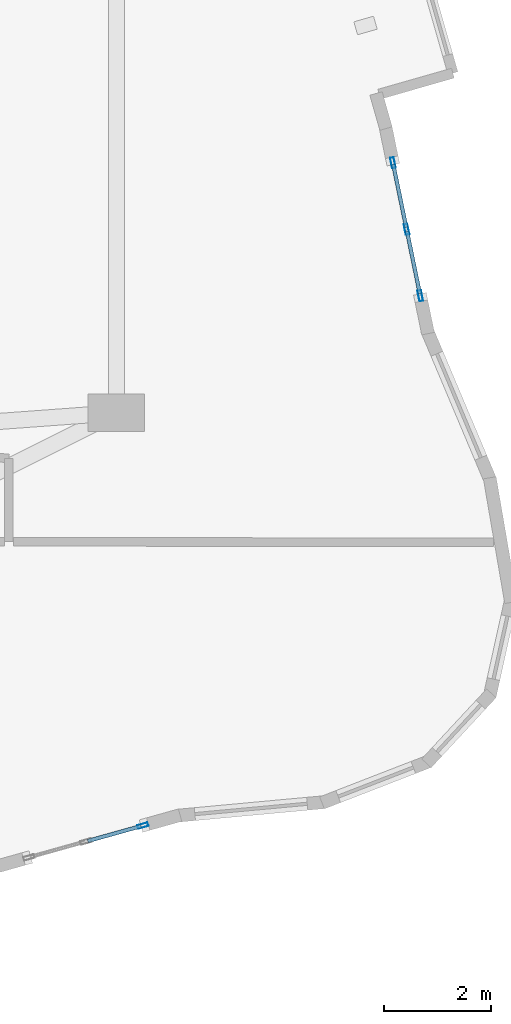
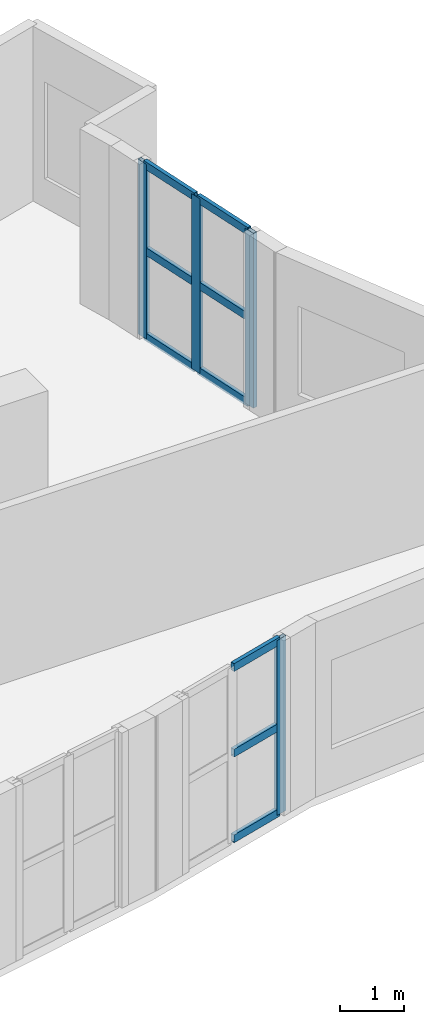
# One storey, part 4 of 15: 13 members, 2 elements without a shape of their own.
"""IFC4 building model written with IfcOpenShell, lengths in metres."""

from ifc_helpers import new_model, si_unit, direction, frame, origin, origin_2d, place, context, subcontext, project, spatial, hollow_rectangle, extrude, material, layer, layer_set, material_profile, profile_set, type_object, element, aggregate, save


model = new_model("IFC4")

# Units and contexts
model_context = context("Model", 3, precision=1e-05, world=origin(), true_north=direction((0.0, 1.0)))
body_context = subcontext(model_context, "Body", "Model", "MODEL_VIEW")
ifc_project = project(units=[si_unit("LENGTHUNIT", "METRE"), si_unit("AREAUNIT", "SQUARE_METRE"), si_unit("VOLUMEUNIT", "CUBIC_METRE"), si_unit("PLANEANGLEUNIT", "RADIAN"), si_unit("MASSUNIT", "GRAM", prefix="KILO")], contexts=[model_context])

# Site, building, storey
site_placement = place(None, origin())
site = spatial("IfcSite", under=ifc_project, at=site_placement, CompositionType="ELEMENT")
building_placement = place(site_placement, origin())
building = spatial("IfcBuilding", under=site, at=building_placement, Name="Miruveldt Soraemaru", CompositionType="ELEMENT")
storey_placement = place(building_placement, frame((0.0, 0.0, 234.0)))
storey = spatial("IfcBuildingStorey", under=building, at=storey_placement, Name="L64", CompositionType="ELEMENT", Elevation=234.0)

# Curtain wall, member
ifc_material = material(Name="Anodised aluminium EN AW-6063 T6", Category="aluminium")
ifc_layer = layer(ifc_material, 0.199951171875, Name="Anodised aluminium EN AW-6063 T6", Category="aluminium")
ifc_layer_set = layer_set([ifc_layer], Name="Anodised aluminium EN AW-6063 T6")
curtain_wall_type = type_object("IfcCurtainWallType", Name="CW-SYS-3", PredefinedType="USERDEFINED", material=ifc_layer_set)
curtain_wall_1_placement = place(storey_placement, origin())
curtain_wall_1 = element("IfcCurtainWall", 1, at=curtain_wall_1_placement, inside=storey, type_object=curtain_wall_type, Name="L64 Curtain Wall Bay 28", ObjectType="UNITISED GLAZING", PredefinedType="USERDEFINED")
ifc_material_profile_1 = material_profile(ifc_material, hollow_rectangle(XDim=0.070068359375, YDim=0.199951171875, WallThickness=0.00390625, at=origin_2d()), Name="Anodised aluminium EN AW-6063 T6", Category="aluminium")
ifc_profile_set_1 = profile_set([ifc_material_profile_1], Name="Anodised aluminium EN AW-6063 T6")
member_type_1 = type_object("IfcMemberType", Name="CWM-3", PredefinedType="MULLION", material=ifc_profile_set_1)
member_1_placement = place(storey_placement, frame((57.0927734375, 28.119140625, 0.0), z_axis=(0.0, 0.0, 1.0), x_axis=(-0.269597245955, 0.962973169394, 0.0)))
member_1 = element("IfcMember", 2, at=member_1_placement, type_object=member_type_1, Name="CW-3 mullion 3", PredefinedType="MULLION", context=body_context, shape_type="SweptSolid", body=[
    extrude(hollow_rectangle(XDim=0.070068359375, YDim=0.199951171875, WallThickness=0.00390625, at=origin_2d()), origin(), (0.0, 0.0, 1.0), 3.344970703125),
])

# Curtain wall, members
curtain_wall_2_placement = place(storey_placement, origin())
curtain_wall_2 = element("IfcCurtainWall", 3, at=curtain_wall_2_placement, inside=storey, type_object=curtain_wall_type, Name="L64 Curtain Wall Bay 35", ObjectType="UNITISED GLAZING", PredefinedType="USERDEFINED")
member_2_placement = place(storey_placement, frame((62.25634765625, 37.9794921875, 0.0), z_axis=(0.0, 0.0, 1.0), x_axis=(-0.979472033348, -0.201580097948, 0.0)))
member_2 = element("IfcMember", 4, at=member_2_placement, type_object=member_type_1, Name="CW-3 mullion 1", PredefinedType="MULLION", context=body_context, shape_type="SweptSolid", body=[
    extrude(hollow_rectangle(XDim=0.070068359375, YDim=0.199951171875, WallThickness=0.00390625, at=origin_2d()), origin(), (0.0, 0.0, 1.0), 3.344970703125),
])
member_3_placement = place(storey_placement, frame((62.001953125, 39.216552734375, 0.0), z_axis=(0.0, 0.0, 1.0), x_axis=(-0.979472033348, -0.201580097948, 0.0)))
member_3 = element("IfcMember", 5, at=member_3_placement, type_object=member_type_1, Name="CW-3 mullion 2", PredefinedType="MULLION", context=body_context, shape_type="SweptSolid", body=[
    extrude(hollow_rectangle(XDim=0.070068359375, YDim=0.199951171875, WallThickness=0.00390625, at=origin_2d()), origin(), (0.0, 0.0, 1.0), 3.344970703125),
])
member_4_placement = place(storey_placement, frame((61.747314453125, 40.45361328125, 0.0), z_axis=(0.0, 0.0, 1.0), x_axis=(-0.979472033348, -0.201580097948, 0.0)))
member_4 = element("IfcMember", 6, at=member_4_placement, type_object=member_type_1, Name="CW-3 mullion 3", PredefinedType="MULLION", context=body_context, shape_type="SweptSolid", body=[
    extrude(hollow_rectangle(XDim=0.070068359375, YDim=0.199951171875, WallThickness=0.00390625, at=origin_2d()), origin(), (0.0, 0.0, 1.0), 3.344970703125),
])

# Member
ifc_material_profile_2 = material_profile(ifc_material, hollow_rectangle(XDim=0.070068359375, YDim=0.14990234375, WallThickness=0.00390625, at=origin_2d()), Name="Anodised aluminium EN AW-6063 T6", Category="aluminium")
ifc_profile_set_2 = profile_set([ifc_material_profile_2], Name="Anodised aluminium EN AW-6063 T6")
member_type_2 = type_object("IfcMemberType", Name="CWT-3", PredefinedType="USERDEFINED", material=ifc_profile_set_2)
member_5_placement = place(storey_placement, frame((56.067138671875, 27.83203125, 0.034912109375), z_axis=(0.963003395191, 0.26948925925, 0.0), x_axis=(-0.26948925925, 0.963003395191, 0.0)))
member_5 = element("IfcMember", 7, at=member_5_placement, type_object=member_type_2, Name="CW-3 transom 2.1", ObjectType="TRANSOM", PredefinedType="USERDEFINED", context=body_context, shape_type="SweptSolid", body=[
    extrude(hollow_rectangle(XDim=0.070068359375, YDim=0.14990234375, WallThickness=0.00390625, at=origin_2d()), origin(), (0.0, 0.0, 1.0), 1.030029296875),
])

member_6_placement = place(storey_placement, frame((56.067138671875, 27.83203125, 1.672607421875), z_axis=(0.963003395191, 0.26948925925, 0.0), x_axis=(-0.26948925925, 0.963003395191, 0.0)))
member_6 = element("IfcMember", 8, at=member_6_placement, type_object=member_type_2, Name="CW-3 transom 2.2", ObjectType="TRANSOM", PredefinedType="USERDEFINED", context=body_context, shape_type="SweptSolid", body=[
    extrude(hollow_rectangle(XDim=0.070068359375, YDim=0.14990234375, WallThickness=0.00390625, at=origin_2d()), origin(), (0.0, 0.0, 1.0), 1.030029296875),
])

member_7_placement = place(storey_placement, frame((56.067138671875, 27.83203125, 3.31005859375), z_axis=(0.963003395191, 0.26948925925, 0.0), x_axis=(-0.26948925925, 0.963003395191, 0.0)))
member_7 = element("IfcMember", 9, at=member_7_placement, type_object=member_type_2, Name="CW-3 transom 2.3", ObjectType="TRANSOM", PredefinedType="USERDEFINED", context=body_context, shape_type="SweptSolid", body=[
    extrude(hollow_rectangle(XDim=0.070068359375, YDim=0.14990234375, WallThickness=0.00390625, at=origin_2d()), origin(), (0.0, 0.0, 1.0), 1.030029296875),
])

aggregate(curtain_wall_1, [member_1, member_5, member_6, member_7])

member_8_placement = place(storey_placement, frame((62.249267578125, 38.013916015625, 0.034912109375), z_axis=(-0.201583626723, 0.979471307103, 0.0), x_axis=(-0.979471307103, -0.201583626723, 0.0)))
member_8 = element("IfcMember", 10, at=member_8_placement, type_object=member_type_2, Name="CW-3 transom 1.1", ObjectType="TRANSOM", PredefinedType="USERDEFINED", context=body_context, shape_type="SweptSolid", body=[
    extrude(hollow_rectangle(XDim=0.070068359375, YDim=0.14990234375, WallThickness=0.00390625, at=origin_2d()), origin(), (0.0, 0.0, 1.0), 1.19287109375),
])

member_9_placement = place(storey_placement, frame((62.249267578125, 38.013916015625, 1.672607421875), z_axis=(-0.201583626723, 0.979471307103, 0.0), x_axis=(-0.979471307103, -0.201583626723, 0.0)))
member_9 = element("IfcMember", 11, at=member_9_placement, type_object=member_type_2, Name="CW-3 transom 1.2", ObjectType="TRANSOM", PredefinedType="USERDEFINED", context=body_context, shape_type="SweptSolid", body=[
    extrude(hollow_rectangle(XDim=0.070068359375, YDim=0.14990234375, WallThickness=0.00390625, at=origin_2d()), origin(), (0.0, 0.0, 1.0), 1.19287109375),
])

member_10_placement = place(storey_placement, frame((62.249267578125, 38.013916015625, 3.31005859375), z_axis=(-0.201583626723, 0.979471307103, 0.0), x_axis=(-0.979471307103, -0.201583626723, 0.0)))
member_10 = element("IfcMember", 12, at=member_10_placement, type_object=member_type_2, Name="CW-3 transom 1.3", ObjectType="TRANSOM", PredefinedType="USERDEFINED", context=body_context, shape_type="SweptSolid", body=[
    extrude(hollow_rectangle(XDim=0.070068359375, YDim=0.14990234375, WallThickness=0.00390625, at=origin_2d()), origin(), (0.0, 0.0, 1.0), 1.19287109375),
])

member_11_placement = place(storey_placement, frame((61.994873046875, 39.2509765625, 0.034912109375), z_axis=(-0.201583626723, 0.979471307103, 0.0), x_axis=(-0.979471307103, -0.201583626723, 0.0)))
member_11 = element("IfcMember", 13, at=member_11_placement, type_object=member_type_2, Name="CW-3 transom 2.1", ObjectType="TRANSOM", PredefinedType="USERDEFINED", context=body_context, shape_type="SweptSolid", body=[
    extrude(hollow_rectangle(XDim=0.070068359375, YDim=0.14990234375, WallThickness=0.00390625, at=origin_2d()), origin(), (0.0, 0.0, 1.0), 1.19287109375),
])

member_12_placement = place(storey_placement, frame((61.994873046875, 39.2509765625, 1.672607421875), z_axis=(-0.201583626723, 0.979471307103, 0.0), x_axis=(-0.979471307103, -0.201583626723, 0.0)))
member_12 = element("IfcMember", 14, at=member_12_placement, type_object=member_type_2, Name="CW-3 transom 2.2", ObjectType="TRANSOM", PredefinedType="USERDEFINED", context=body_context, shape_type="SweptSolid", body=[
    extrude(hollow_rectangle(XDim=0.070068359375, YDim=0.14990234375, WallThickness=0.00390625, at=origin_2d()), origin(), (0.0, 0.0, 1.0), 1.19287109375),
])

member_13_placement = place(storey_placement, frame((61.994873046875, 39.2509765625, 3.31005859375), z_axis=(-0.201583626723, 0.979471307103, 0.0), x_axis=(-0.979471307103, -0.201583626723, 0.0)))
member_13 = element("IfcMember", 15, at=member_13_placement, type_object=member_type_2, Name="CW-3 transom 2.3", ObjectType="TRANSOM", PredefinedType="USERDEFINED", context=body_context, shape_type="SweptSolid", body=[
    extrude(hollow_rectangle(XDim=0.070068359375, YDim=0.14990234375, WallThickness=0.00390625, at=origin_2d()), origin(), (0.0, 0.0, 1.0), 1.19287109375),
])

aggregate(curtain_wall_2, [member_2, member_3, member_4, member_8, member_9, member_10, member_11, member_12, member_13])

save(model, "model.ifc")
